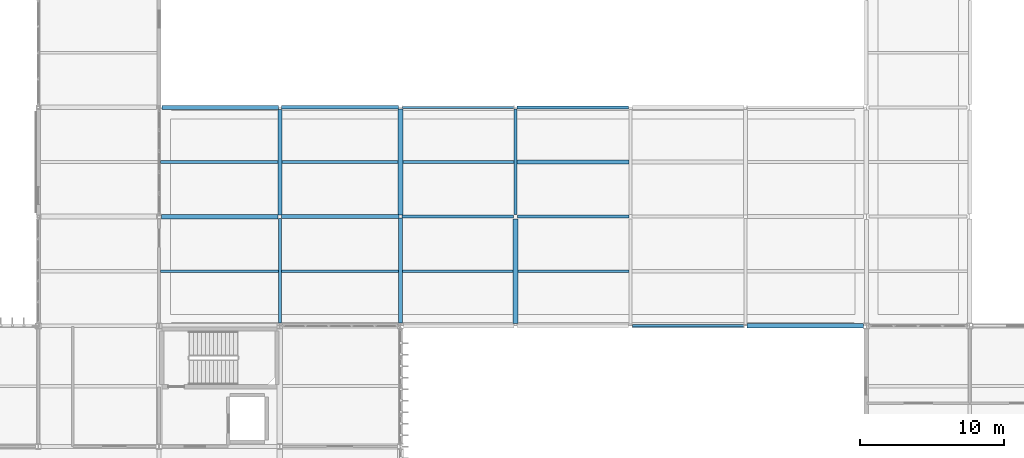
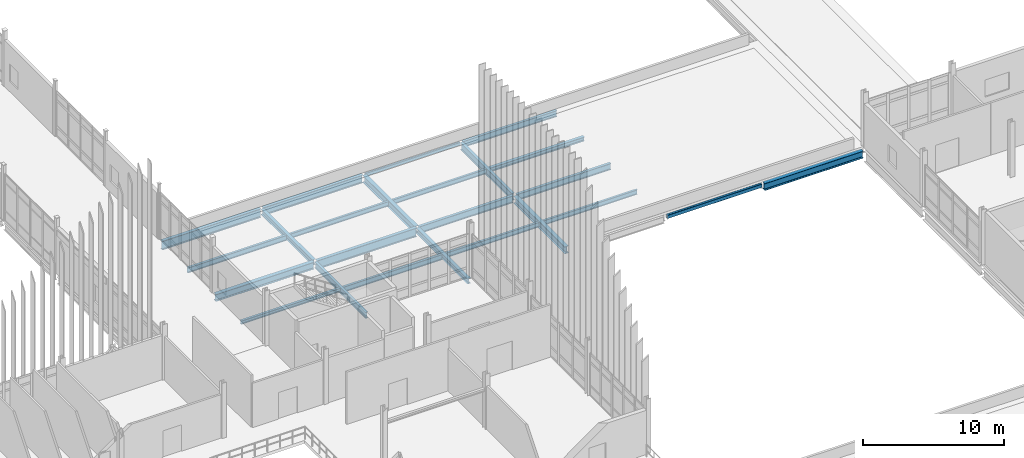
# One storey, part 47 of 153: 24 beams.
"""IFC4 building model written with IfcOpenShell, lengths in metres."""

from ifc_helpers import new_model, si_unit, direction, frame, origin, origin_2d, place, context, subcontext, project, spatial, hollow_rectangle, i_section, extrude, material, material_profile, profile_set, type_object, element, save


model = new_model("IFC4")

# Units and contexts
model_context = context("Model", 3, precision=1e-05, world=origin(), true_north=direction((0.0, 1.0)))
body_context = subcontext(model_context, "Body", "Model", "MODEL_VIEW")
ifc_project = project(units=[si_unit("LENGTHUNIT", "METRE"), si_unit("AREAUNIT", "SQUARE_METRE"), si_unit("VOLUMEUNIT", "CUBIC_METRE"), si_unit("PLANEANGLEUNIT", "RADIAN"), si_unit("MASSUNIT", "GRAM", prefix="KILO")], contexts=[model_context])

# Site, building, storey
site_placement = place(None, origin())
site = spatial("IfcSite", under=ifc_project, at=site_placement, CompositionType="ELEMENT")
building_placement = place(site_placement, origin())
building = spatial("IfcBuilding", under=site, at=building_placement, Name="Calvrana Isthmian Art Gallery", CompositionType="ELEMENT")
storey_placement = place(building_placement, frame((0.0, 0.0, 10.199951171875)))
storey = spatial("IfcBuildingStorey", under=building, at=storey_placement, Name="L02", CompositionType="ELEMENT", Elevation=10.199951171875)

# Beams
ifc_material_1 = material(Name="Steel ASTM A992 Gr 50", Category="steel")
ifc_material_profile_1 = material_profile(ifc_material_1, i_section(OverallWidth=0.279052734375, OverallDepth=0.4619140625, WebThickness=0.0107421875, FlangeThickness=0.017333984375, FilletRadius=0.02001953125, at=origin_2d()), Name="W18X76")
ifc_profile_set_1 = profile_set([ifc_material_profile_1], Name="Steel ASTM A992 Gr 50")
beam_type_1 = type_object("IfcBeamType", Name="BM-G-W18X76", PredefinedType="BEAM", material=ifc_profile_set_1)
beam_1_placement = place(storey_placement, frame((72.0, 54.527099609375, -0.495849609375), z_axis=(0.0, 1.0, 0.0), x_axis=(-1.0, 0.0, 0.0)))
element("IfcBeam", 1, at=beam_1_placement, inside=storey, type_object=beam_type_1, Name="Girder Y L02 10/H-I", PredefinedType="BEAM", context=body_context, shape_type="SweptSolid", body=[
    extrude(i_section(OverallWidth=0.279052734375, OverallDepth=0.4619140625, WebThickness=0.0107421875, FlangeThickness=0.017333984375, FilletRadius=0.02001953125, at=origin_2d()), origin(), (0.0, 0.0, 1.0), 7.320556640625),
])
beam_2_placement = place(storey_placement, frame((80.39990234375, 46.990478515625, -0.495849609375), z_axis=(0.0, 1.0, 0.0), x_axis=(-1.0, 0.0, 0.0)))
element("IfcBeam", 2, at=beam_2_placement, inside=storey, type_object=beam_type_1, Name="Girder Y L02 11/G-H", PredefinedType="BEAM", context=body_context, shape_type="SweptSolid", body=[
    extrude(i_section(OverallWidth=0.279052734375, OverallDepth=0.4619140625, WebThickness=0.0107421875, FlangeThickness=0.017333984375, FilletRadius=0.02001953125, at=origin_2d()), origin(), (0.0, 0.0, 1.0), 7.307861328125),
])
ifc_material_profile_2 = material_profile(ifc_material_1, i_section(OverallWidth=0.208984375, OverallDepth=0.532958984375, WebThickness=0.01025390625, FlangeThickness=0.015625, FilletRadius=0.02099609375, at=origin_2d()), Name="W21X62")
ifc_profile_set_2 = profile_set([ifc_material_profile_2], Name="Steel ASTM A992 Gr 50")
beam_type_2 = type_object("IfcBeamType", Name="BM-G-W21X62", PredefinedType="BEAM", material=ifc_profile_set_2)
beam_3_placement = place(storey_placement, frame((88.501708984375, 62.0, -0.531494140625), z_axis=(1.0, 0.0, 0.0), x_axis=(0.0, 1.0, 0.0)))
element("IfcBeam", 3, at=beam_3_placement, inside=storey, type_object=beam_type_2, Name="Girder X L02 12-13/I", PredefinedType="BEAM", context=body_context, shape_type="SweptSolid", body=[
    extrude(i_section(OverallWidth=0.208984375, OverallDepth=0.532958984375, WebThickness=0.01025390625, FlangeThickness=0.015625, FilletRadius=0.02099609375, at=origin_2d()), origin(), (0.0, 0.0, 1.0), 7.745849609375),
])
beam_4_placement = place(storey_placement, frame((72.0, 46.992919921875, -0.531494140625), z_axis=(0.0, 1.0, 0.0), x_axis=(-1.0, 0.0, 0.0)))
element("IfcBeam", 4, at=beam_4_placement, inside=storey, type_object=beam_type_2, Name="Girder Y L02 10/G-H", PredefinedType="BEAM", context=body_context, shape_type="SweptSolid", body=[
    extrude(i_section(OverallWidth=0.208984375, OverallDepth=0.532958984375, WebThickness=0.01025390625, FlangeThickness=0.015625, FilletRadius=0.02099609375, at=origin_2d()), origin(), (0.0, 0.0, 1.0), 7.280029296875),
])
ifc_material_profile_3 = material_profile(ifc_material_1, i_section(OverallWidth=0.214111328125, OverallDepth=0.549072265625, WebThickness=0.0146484375, FlangeThickness=0.023681640625, FilletRadius=0.02099609375, at=origin_2d()), Name="W21X93")
ifc_profile_set_3 = profile_set([ifc_material_profile_3], Name="Steel ASTM A992 Gr 50")
beam_type_3 = type_object("IfcBeamType", Name="BM-G-W21X93", PredefinedType="BEAM", material=ifc_profile_set_3)
beam_5_placement = place(storey_placement, frame((88.552490234375, 54.39990234375, -0.53955078125), z_axis=(1.0, 0.0, 0.0), x_axis=(0.0, 1.0, 0.0)))
element("IfcBeam", 5, at=beam_5_placement, inside=storey, type_object=beam_type_3, Name="Girder X L02 12-13/H", PredefinedType="BEAM", context=body_context, shape_type="SweptSolid", body=[
    extrude(i_section(OverallWidth=0.214111328125, OverallDepth=0.549072265625, WebThickness=0.0146484375, FlangeThickness=0.023681640625, FilletRadius=0.02099609375, at=origin_2d()), origin(), (0.0, 0.0, 1.0), 7.745849609375),
])
ifc_material_profile_4 = material_profile(ifc_material_1, i_section(OverallWidth=0.324951171875, OverallDepth=0.612060546875, WebThickness=0.0126953125, FlangeThickness=0.01904296875, FilletRadius=0.02197265625, at=origin_2d()), Name="W24X104")
ifc_profile_set_4 = profile_set([ifc_material_profile_4], Name="Steel ASTM A992 Gr 50")
beam_type_4 = type_object("IfcBeamType", Name="BM-G-W24X104", PredefinedType="BEAM", material=ifc_profile_set_4)
beam_6_placement = place(storey_placement, frame((104.501708984375, 46.800048828125, -0.571044921875), z_axis=(1.0, 0.0, 0.0), x_axis=(0.0, 1.0, 0.0)))
element("IfcBeam", 6, at=beam_6_placement, inside=storey, type_object=beam_type_4, Name="Girder X L02 14-15/G", PredefinedType="BEAM", context=body_context, shape_type="SweptSolid", body=[
    extrude(i_section(OverallWidth=0.324951171875, OverallDepth=0.612060546875, WebThickness=0.0126953125, FlangeThickness=0.01904296875, FilletRadius=0.02197265625, at=origin_2d()), origin(), (0.0, 0.0, 1.0), 8.100341796875),
])
beam_7_placement = place(storey_placement, frame((63.785400390625, 54.39990234375, -0.571044921875), z_axis=(1.0, 0.0, 0.0), x_axis=(0.0, 1.0, 0.0)))
element("IfcBeam", 7, at=beam_7_placement, inside=storey, type_object=beam_type_4, Name="Girder X L02 09-10/H", PredefinedType="BEAM", context=body_context, shape_type="SweptSolid", body=[
    extrude(i_section(OverallWidth=0.324951171875, OverallDepth=0.612060546875, WebThickness=0.0126953125, FlangeThickness=0.01904296875, FilletRadius=0.02197265625, at=origin_2d()), origin(), (0.0, 0.0, 1.0), 8.087646484375),
])
beam_8_placement = place(storey_placement, frame((80.39990234375, 54.501708984375, -0.571044921875), z_axis=(0.0, 1.0, 0.0), x_axis=(-1.0, 0.0, 0.0)))
element("IfcBeam", 8, at=beam_8_placement, inside=storey, type_object=beam_type_4, Name="Girder Y L02 11/H-I", PredefinedType="BEAM", context=body_context, shape_type="SweptSolid", body=[
    extrude(i_section(OverallWidth=0.324951171875, OverallDepth=0.612060546875, WebThickness=0.0126953125, FlangeThickness=0.01904296875, FilletRadius=0.02197265625, at=origin_2d()), origin(), (0.0, 0.0, 1.0), 7.371337890625),
])
beam_9_placement = place(storey_placement, frame((88.39990234375, 46.952392578125, -0.571044921875), z_axis=(0.0, 1.0, 0.0), x_axis=(-1.0, 0.0, 0.0)))
element("IfcBeam", 9, at=beam_9_placement, inside=storey, type_object=beam_type_4, Name="Girder Y L02 12/G-H", PredefinedType="BEAM", context=body_context, shape_type="SweptSolid", body=[
    extrude(i_section(OverallWidth=0.324951171875, OverallDepth=0.612060546875, WebThickness=0.0126953125, FlangeThickness=0.01904296875, FilletRadius=0.02197265625, at=origin_2d()), origin(), (0.0, 0.0, 1.0), 7.295166015625),
])
ifc_material_profile_5 = material_profile(ifc_material_1, i_section(OverallWidth=0.22802734375, OverallDepth=0.60693359375, WebThickness=0.01123046875, FlangeThickness=0.017333984375, FilletRadius=0.02197265625, at=origin_2d()), Name="W24X76")
ifc_profile_set_5 = profile_set([ifc_material_profile_5], Name="Steel ASTM A992 Gr 50")
beam_type_5 = type_object("IfcBeamType", Name="BM-G-W24X76", PredefinedType="BEAM", material=ifc_profile_set_5)
beam_10_placement = place(storey_placement, frame((80.501708984375, 54.39990234375, -0.568359375), z_axis=(1.0, 0.0, 0.0), x_axis=(0.0, 1.0, 0.0)))
element("IfcBeam", 10, at=beam_10_placement, inside=storey, type_object=beam_type_5, Name="Girder X L02 11-12/H", PredefinedType="BEAM", context=body_context, shape_type="SweptSolid", body=[
    extrude(i_section(OverallWidth=0.22802734375, OverallDepth=0.60693359375, WebThickness=0.01123046875, FlangeThickness=0.017333984375, FilletRadius=0.02197265625, at=origin_2d()), origin(), (0.0, 0.0, 1.0), 7.745849609375),
])
beam_11_placement = place(storey_placement, frame((88.39990234375, 54.552490234375, -0.568359375), z_axis=(0.0, 1.0, 0.0), x_axis=(-1.0, 0.0, 0.0)))
element("IfcBeam", 11, at=beam_11_placement, inside=storey, type_object=beam_type_5, Name="Girder Y L02 12/H-I", PredefinedType="BEAM", context=body_context, shape_type="SweptSolid", body=[
    extrude(i_section(OverallWidth=0.22802734375, OverallDepth=0.60693359375, WebThickness=0.01123046875, FlangeThickness=0.017333984375, FilletRadius=0.02197265625, at=origin_2d()), origin(), (0.0, 0.0, 1.0), 7.345947265625),
])
ifc_material_profile_6 = material_profile(ifc_material_1, i_section(OverallWidth=0.257080078125, OverallDepth=0.693115234375, WebThickness=0.014404296875, FlangeThickness=0.023681640625, FilletRadius=0.02392578125, at=origin_2d()), Name="W27X114")
ifc_profile_set_6 = profile_set([ifc_material_profile_6], Name="Steel ASTM A992 Gr 50")
beam_type_6 = type_object("IfcBeamType", Name="BM-G-W27X114", PredefinedType="BEAM", material=ifc_profile_set_6)
beam_12_placement = place(storey_placement, frame((72.1015625, 62.0, -0.611572265625), z_axis=(1.0, 0.0, 0.0), x_axis=(0.0, 1.0, 0.0)))
element("IfcBeam", 12, at=beam_12_placement, inside=storey, type_object=beam_type_6, Name="Girder X L02 10-11/I", PredefinedType="BEAM", context=body_context, shape_type="SweptSolid", body=[
    extrude(i_section(OverallWidth=0.257080078125, OverallDepth=0.693115234375, WebThickness=0.014404296875, FlangeThickness=0.023681640625, FilletRadius=0.02392578125, at=origin_2d()), origin(), (0.0, 0.0, 1.0), 8.17138671875),
])
ifc_material_profile_7 = material_profile(ifc_material_1, i_section(OverallWidth=0.26708984375, OverallDepth=0.761962890625, WebThickness=0.014404296875, FlangeThickness=0.021484375, FilletRadius=0.02490234375, at=origin_2d()), Name="W30X116")
ifc_profile_set_7 = profile_set([ifc_material_profile_7], Name="Steel ASTM A992 Gr 50")
beam_type_7 = type_object("IfcBeamType", Name="BM-G-W30X116", PredefinedType="BEAM", material=ifc_profile_set_7)
beam_13_placement = place(storey_placement, frame((72.126953125, 54.39990234375, -0.64599609375), z_axis=(1.0, 0.0, 0.0), x_axis=(0.0, 1.0, 0.0)))
element("IfcBeam", 13, at=beam_13_placement, inside=storey, type_object=beam_type_7, Name="Girder X L02 10-11/H", PredefinedType="BEAM", context=body_context, shape_type="SweptSolid", body=[
    extrude(i_section(OverallWidth=0.26708984375, OverallDepth=0.761962890625, WebThickness=0.014404296875, FlangeThickness=0.021484375, FilletRadius=0.02490234375, at=origin_2d()), origin(), (0.0, 0.0, 1.0), 8.17138671875),
])
beam_14_placement = place(storey_placement, frame((63.78662109375, 62.0, -0.64599609375), z_axis=(1.0, 0.0, 0.0), x_axis=(0.0, 1.0, 0.0)))
element("IfcBeam", 14, at=beam_14_placement, inside=storey, type_object=beam_type_7, Name="Girder X L02 09-10/I", PredefinedType="BEAM", context=body_context, shape_type="SweptSolid", body=[
    extrude(i_section(OverallWidth=0.26708984375, OverallDepth=0.761962890625, WebThickness=0.014404296875, FlangeThickness=0.021484375, FilletRadius=0.02490234375, at=origin_2d()), origin(), (0.0, 0.0, 1.0), 8.11181640625),
])
ifc_material_profile_8 = material_profile(ifc_material_1, i_section(OverallWidth=0.202880859375, OverallDepth=0.302001953125, WebThickness=0.007568359375, FlangeThickness=0.01318359375, FilletRadius=0.01611328125, at=origin_2d()), Name="W12X40")
ifc_profile_set_8 = profile_set([ifc_material_profile_8], Name="Steel ASTM A992 Gr 50")
beam_type_8 = type_object("IfcBeamType", Name="BM-J-W12X40", PredefinedType="JOIST", material=ifc_profile_set_8)
beam_15_placement = place(storey_placement, frame((63.714111328125, 50.60009765625, -0.416015625), z_axis=(1.0, 0.0, 0.0), x_axis=(0.0, 1.0, 0.0)))
element("IfcBeam", 15, at=beam_15_placement, inside=storey, type_object=beam_type_8, Name="Composite joist L02 bay 08-06", PredefinedType="JOIST", context=body_context, shape_type="SweptSolid", body=[
    extrude(i_section(OverallWidth=0.202880859375, OverallDepth=0.302001953125, WebThickness=0.007568359375, FlangeThickness=0.01318359375, FilletRadius=0.01611328125, at=origin_2d()), origin(), (0.0, 0.0, 1.0), 8.181396484375),
])
ifc_material_profile_9 = material_profile(ifc_material_1, i_section(OverallWidth=0.25390625, OverallDepth=0.35302734375, WebThickness=0.009521484375, FlangeThickness=0.016357421875, FilletRadius=0.01806640625, at=origin_2d()), Name="W14X61")
ifc_profile_set_9 = profile_set([ifc_material_profile_9], Name="Steel ASTM A992 Gr 50")
beam_type_9 = type_object("IfcBeamType", Name="BM-J-W14X61", PredefinedType="JOIST", material=ifc_profile_set_9)
beam_16_placement = place(storey_placement, frame((88.513916015625, 58.199951171875, -0.44140625), z_axis=(1.0, 0.0, 0.0), x_axis=(0.0, 1.0, 0.0)))
element("IfcBeam", 16, at=beam_16_placement, inside=storey, type_object=beam_type_9, Name="Composite joist L02 bay 11-07", PredefinedType="JOIST", context=body_context, shape_type="SweptSolid", body=[
    extrude(i_section(OverallWidth=0.25390625, OverallDepth=0.35302734375, WebThickness=0.009521484375, FlangeThickness=0.016357421875, FilletRadius=0.01806640625, at=origin_2d()), origin(), (0.0, 0.0, 1.0), 7.781494140625),
])
ifc_material_profile_10 = material_profile(ifc_material_1, i_section(OverallWidth=0.177978515625, OverallDepth=0.404052734375, WebThickness=0.007568359375, FlangeThickness=0.010986328125, FilletRadius=0.01806640625, at=origin_2d()), Name="W16X36")
ifc_profile_set_10 = profile_set([ifc_material_profile_10], Name="Steel ASTM A992 Gr 50")
beam_type_10 = type_object("IfcBeamType", Name="BM-J-W16X36", PredefinedType="JOIST", material=ifc_profile_set_10)
for number, where, z_axis, x_axis, name in (
    (17, (80.5625, 58.199951171875, -0.467041015625), (1.0, 0.0, 0.0), (0.0, 1.0, 0.0), "Composite joist L02 bay 10-07"),
    (18, (88.5625, 50.60009765625, -0.467041015625), (1.0, 0.0, 0.0), (0.0, 1.0, 0.0), "Composite joist L02 bay 11-06"),
):
    element("IfcBeam", number, at=place(storey_placement, frame(where, z_axis=z_axis, x_axis=x_axis)), inside=storey, type_object=beam_type_10, Name=name, PredefinedType="JOIST", context=body_context, shape_type="SweptSolid", body=[
        extrude(i_section(OverallWidth=0.177978515625, OverallDepth=0.404052734375, WebThickness=0.007568359375, FlangeThickness=0.010986328125, FilletRadius=0.01806640625, at=origin_2d()), origin(), (0.0, 0.0, 1.0), 7.723388671875),
    ])
ifc_material_profile_11 = material_profile(ifc_material_1, i_section(OverallWidth=0.179931640625, OverallDepth=0.4140625, WebThickness=0.009765625, FlangeThickness=0.01611328125, FilletRadius=0.01806640625, at=origin_2d()), Name="W16X50")
ifc_profile_set_11 = profile_set([ifc_material_profile_11], Name="Steel ASTM A992 Gr 50")
beam_type_11 = type_object("IfcBeamType", Name="BM-J-W16X50", PredefinedType="JOIST", material=ifc_profile_set_11)
beam_17_placement = place(storey_placement, frame((72.139404296875, 58.199951171875, -0.471923828125), z_axis=(1.0, 0.0, 0.0), x_axis=(0.0, 1.0, 0.0)))
element("IfcBeam", 19, at=beam_17_placement, inside=storey, type_object=beam_type_11, Name="Composite joist L02 bay 09-07", PredefinedType="JOIST", context=body_context, shape_type="SweptSolid", body=[
    extrude(i_section(OverallWidth=0.179931640625, OverallDepth=0.4140625, WebThickness=0.009765625, FlangeThickness=0.01611328125, FilletRadius=0.01806640625, at=origin_2d()), origin(), (0.0, 0.0, 1.0), 8.09814453125),
])
beam_18_placement = place(storey_placement, frame((80.53955078125, 50.60009765625, -0.471923828125), z_axis=(1.0, 0.0, 0.0), x_axis=(0.0, 1.0, 0.0)))
element("IfcBeam", 20, at=beam_18_placement, inside=storey, type_object=beam_type_11, Name="Composite joist L02 bay 10-06", PredefinedType="JOIST", context=body_context, shape_type="SweptSolid", body=[
    extrude(i_section(OverallWidth=0.179931640625, OverallDepth=0.4140625, WebThickness=0.009765625, FlangeThickness=0.01611328125, FilletRadius=0.01806640625, at=origin_2d()), origin(), (0.0, 0.0, 1.0), 7.697998046875),
])
ifc_material_profile_12 = material_profile(ifc_material_1, i_section(OverallWidth=0.19091796875, OverallDepth=0.45703125, WebThickness=0.009033203125, FlangeThickness=0.014404296875, FilletRadius=0.02001953125, at=origin_2d()), Name="W18X50")
ifc_profile_set_12 = profile_set([ifc_material_profile_12], Name="Steel ASTM A992 Gr 50")
beam_type_12 = type_object("IfcBeamType", Name="BM-J-W18X50", PredefinedType="JOIST", material=ifc_profile_set_12)
for number, where, z_axis, x_axis, name in (
    (21, (63.70458984375, 58.199951171875, -0.493408203125), (1.0, 0.0, 0.0), (0.0, 1.0, 0.0), "Composite joist L02 bay 08-07"),
    (22, (72.1044921875, 50.60009765625, -0.493408203125), (1.0, 0.0, 0.0), (0.0, 1.0, 0.0), "Composite joist L02 bay 09-06"),
):
    element("IfcBeam", number, at=place(storey_placement, frame(where, z_axis=z_axis, x_axis=x_axis)), inside=storey, type_object=beam_type_12, Name=name, PredefinedType="JOIST", context=body_context, shape_type="SweptSolid", body=[
        extrude(i_section(OverallWidth=0.19091796875, OverallDepth=0.45703125, WebThickness=0.009033203125, FlangeThickness=0.014404296875, FilletRadius=0.02001953125, at=origin_2d()), origin(), (0.0, 0.0, 1.0), 8.156005859375),
    ])
ifc_material_2 = material(Name="Steel ASTM A500 Gr C", Category="steel")
ifc_material_profile_13 = material_profile(ifc_material_2, hollow_rectangle(XDim=0.15234375, YDim=0.25390625, WallThickness=0.009521484375, OuterFilletRadius=0.01904296875, at=origin_2d()), Name="HSS254X152X9.5")
ifc_profile_set_13 = profile_set([ifc_material_profile_13], Name="Steel ASTM A500 Gr C")
beam_type_13 = type_object("IfcBeamType", Name="BM-SP-HSS254", PredefinedType="SPANDREL", material=ifc_profile_set_13)
beam_19_placement = place(storey_placement, frame((80.527099609375, 62.0, -0.391845703125), z_axis=(1.0, 0.0, 0.0), x_axis=(0.0, 1.0, 0.0)))
element("IfcBeam", 23, at=beam_19_placement, inside=storey, type_object=beam_type_13, Name="Girder X L02 11-12/I", PredefinedType="SPANDREL", context=body_context, shape_type="SweptSolid", body=[
    extrude(hollow_rectangle(XDim=0.15234375, YDim=0.25390625, WallThickness=0.009521484375, OuterFilletRadius=0.01904296875, at=origin_2d()), origin(), (0.0, 0.0, 1.0), 7.771240234375),
])
ifc_material_profile_14 = material_profile(ifc_material_2, hollow_rectangle(XDim=0.203125, YDim=0.3046875, WallThickness=0.0126953125, OuterFilletRadius=0.02490234375, at=origin_2d()), Name="HSS305X203X12.7")
ifc_profile_set_14 = profile_set([ifc_material_profile_14], Name="Steel ASTM A500 Gr C")
beam_type_14 = type_object("IfcBeamType", Name="BM-SP-HSS305", PredefinedType="SPANDREL", material=ifc_profile_set_14)
beam_20_placement = place(storey_placement, frame((96.527099609375, 46.800048828125, -0.417236328125), z_axis=(1.0, 0.0, 0.0), x_axis=(0.0, 1.0, 0.0)))
element("IfcBeam", 24, at=beam_20_placement, inside=storey, type_object=beam_type_14, Name="Girder X L02 13-14/G", PredefinedType="SPANDREL", context=body_context, shape_type="SweptSolid", body=[
    extrude(hollow_rectangle(XDim=0.203125, YDim=0.3046875, WallThickness=0.0126953125, OuterFilletRadius=0.02490234375, at=origin_2d()), origin(), (0.0, 0.0, 1.0), 7.771240234375),
])

save(model, "model.ifc")
